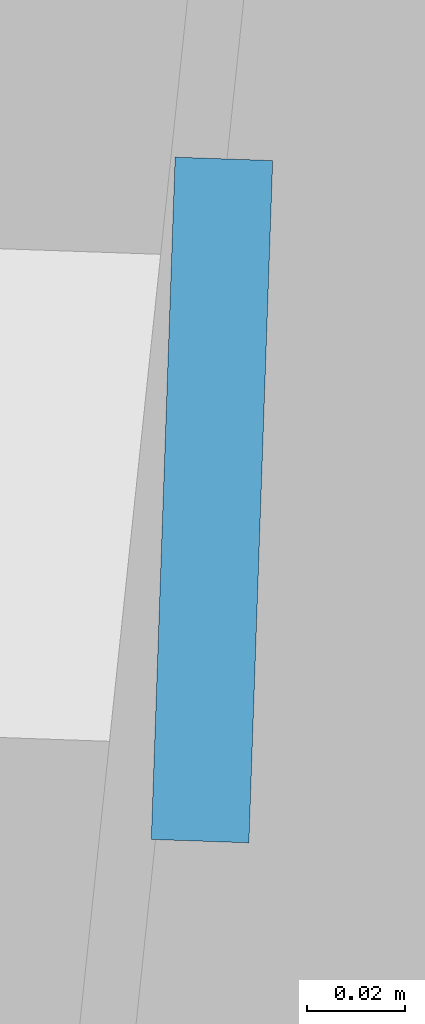
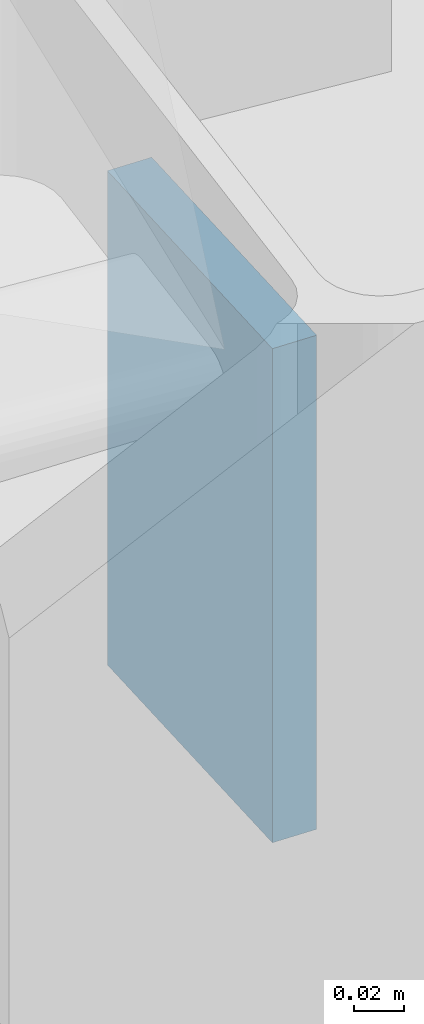
# One storey, part 26 of 42: 1 plate.
"""IFC4 building model written with IfcOpenShell, lengths in metres."""

import ifcopenshell
import ifcopenshell.guid

model = None  # the IFC model being written
_history = None  # IfcOwnerHistory: only IFC2X3 demands one
_inside = {}  # id of a spatial element -> (the spatial element, [elements in it])
_under = {}  # id of a project, library or spatial element -> (it, [spatial elements below it])
_declared = {}  # id of a project -> (the project, [libraries it declares])
_typed = {}  # id of a type object -> (the type object, [elements of that type])
_made_of = {}  # id of a material, layer set ... -> (it, [elements and type objects made of it])


def new_model(schema):
    """Start an empty IFC model of exactly this schema.

    Asked for "IFC4X3", IfcOpenShell would pick the latest addendum, in which some entities
    have other attributes; the version numbers below select the first issue.
    IFC2X3 requires an IfcOwnerHistory on every rooted entity: one is made here for all.
    """
    global model, _history
    if schema == "IFC4X3":
        model = ifcopenshell.file(schema_version=(4, 3, 0, 0))
    else:
        model = ifcopenshell.file(schema=schema)
    _inside.clear()
    _under.clear()
    _declared.clear()
    _typed.clear()
    _made_of.clear()
    _history = None
    if model.schema == "IFC2X3":
        org = make("IfcOrganization", Name="unknown")
        user = make(
            "IfcPersonAndOrganization",
            ThePerson=make("IfcPerson", FamilyName="unknown"),
            TheOrganization=org,
        )
        app = make(
            "IfcApplication",
            ApplicationDeveloper=org,
            Version="unknown",
            ApplicationFullName="unknown",
            ApplicationIdentifier="unknown",
        )
        _history = make(
            "IfcOwnerHistory",
            OwningUser=user,
            OwningApplication=app,
            ChangeAction="ADDED",
            CreationDate=0,
        )
    return model


def make(cls, **values):
    """One entity of the class cls with the attributes given. An attribute that is None is left unset."""
    return model.create_entity(
        cls, **{name: value for name, value in values.items() if value is not None}
    )


def rooted(cls, **values):
    """An entity with a GlobalId (a new one), such as an element, a storey or a relation."""
    return make(cls, GlobalId=ifcopenshell.guid.new(), OwnerHistory=_history, **values)


def si_unit(unit_type, name, prefix=None):
    """IfcSIUnit, for example si_unit("LENGTHUNIT", "METRE", prefix="MILLI")."""
    return make("IfcSIUnit", UnitType=unit_type, Prefix=prefix, Name=name)


def assignment(units):
    """IfcUnitAssignment: the units of a project."""
    return None if units is None else make("IfcUnitAssignment", Units=units)


def point(xyz):
    """IfcCartesianPoint."""
    return None if xyz is None else make("IfcCartesianPoint", Coordinates=xyz)


def direction(xyz):
    """IfcDirection."""
    return None if xyz is None else make("IfcDirection", DirectionRatios=xyz)


def frame(location, z_axis=None, x_axis=None):
    """IfcAxis2Placement3D, a coordinate frame: its origin and axes. An axis left out is left unset."""
    return make(
        "IfcAxis2Placement3D",
        Location=point(location),
        Axis=direction(z_axis),
        RefDirection=direction(x_axis),
    )


def frame_2d(location, x_axis=None):
    """IfcAxis2Placement2D, a coordinate frame in the plane: its origin and x axis."""
    return make(
        "IfcAxis2Placement2D", Location=point(location), RefDirection=direction(x_axis)
    )


def origin():
    """The frame at (0, 0, 0) with its axes left unset."""
    return frame((0.0, 0.0, 0.0))


def origin_2d():
    """The frame at (0, 0) in the plane with its x axis left unset."""
    return frame_2d((0.0, 0.0))


def place(relative_to, where):
    """IfcLocalPlacement: puts the frame where relative to a parent placement (None: the world)."""
    return make(
        "IfcLocalPlacement", PlacementRelTo=relative_to, RelativePlacement=where
    )


def context(
    kind, dimensions, precision=None, world=None, true_north=None, identifier=None
):
    """IfcGeometricRepresentationContext, for example the 3D "Model" context."""
    return make(
        "IfcGeometricRepresentationContext",
        ContextIdentifier=identifier,
        ContextType=kind,
        CoordinateSpaceDimension=dimensions,
        Precision=precision,
        WorldCoordinateSystem=world,
        TrueNorth=true_north,
    )


def subcontext(parent, identifier, kind, view, scale=None):
    """IfcGeometricRepresentationSubContext, for example "Body" below "Model"."""
    return make(
        "IfcGeometricRepresentationSubContext",
        ContextIdentifier=identifier,
        ContextType=kind,
        ParentContext=parent,
        TargetScale=scale,
        TargetView=view,
    )


def project(units=None, contexts=None):
    """IfcProject with its units and contexts."""
    return rooted(
        "IfcProject",
        Name="project",
        RepresentationContexts=contexts,
        UnitsInContext=assignment(units),
    )


def spatial(cls, under=None, at=None, **own):
    """A site, building, storey or space (cls), placed at a placement, below another one or the project."""
    s = rooted(cls, ObjectPlacement=at, **own)
    if under is not None:
        _under.setdefault(under.id(), (under, []))[1].append(s)
    return s


def profile(cls, at=None, kind="AREA", **sizes):
    """A parametric profile (cls). Its sizes go by their IFC names, for example OverallWidth=200.0."""
    return make(cls, ProfileType=kind, Position=at, **sizes)


def rectangle(**sizes):
    """IfcRectangleProfileDef."""
    return profile("IfcRectangleProfileDef", **sizes)


def extrude(swept, where, along, depth):
    """IfcExtrudedAreaSolid: the profile swept, set in the frame where, extruded along a direction by depth."""
    return make(
        "IfcExtrudedAreaSolid",
        SweptArea=swept,
        Position=where,
        ExtrudedDirection=direction(along),
        Depth=depth,
    )


def shape(context_of_items, identifier, shape_type, items):
    """IfcShapeRepresentation: the items that make up one representation, for example the "Body"."""
    return make(
        "IfcShapeRepresentation",
        ContextOfItems=context_of_items,
        RepresentationIdentifier=identifier,
        RepresentationType=shape_type,
        Items=items,
    )


def material(Name=None, Category=None):
    """IfcMaterial."""
    return make("IfcMaterial", Name=Name, Category=Category)


def layer(
    of_material, thickness, ventilated=None, Name=None, Category=None, Priority=None
):
    """IfcMaterialLayer: one layer of a wall or slab, of a material (None: an air gap)."""
    return make(
        "IfcMaterialLayer",
        Material=of_material,
        LayerThickness=thickness,
        IsVentilated=ventilated,
        Name=Name,
        Category=Category,
        Priority=Priority,
    )


def layer_set(layers, Name=None):
    """IfcMaterialLayerSet."""
    return make("IfcMaterialLayerSet", MaterialLayers=layers, LayerSetName=Name)


def made_of(thing, what):
    """Note that an element or type object is made of a material, layer set ...; save() writes the relation."""
    if what is not None:
        _made_of.setdefault(what.id(), (what, []))[1].append(thing)
    return thing


def type_object(cls, material=None, **own):
    """A type object (cls), such as IfcWallType, which elements share."""
    return made_of(rooted(cls, **own), material)


def element(
    cls,
    number,
    at=None,
    inside=None,
    cuts=None,
    type_object=None,
    material=None,
    context=None,
    identifier="Body",
    shape_type=None,
    held_by="IfcProductDefinitionShape",
    body=None,
    shapes=None,
    **own,
):
    """One element of the class cls, such as IfcWall. Its Tag is "e" and its number.

    at: its placement. inside: the storey or other place that contains it. cuts: it is an
    opening in that element (IfcRelVoidsElement). A single representation is given by context,
    identifier, shape_type and body (its items); several are given by shapes. held_by: the class
    of the entity that holds the representations. save() writes the other relations.
    """
    e = rooted(cls, Tag="e%d" % number, ObjectPlacement=at, **own)
    if body is not None:
        shapes = [shape(context, identifier, shape_type, body)]
    if shapes is not None:
        e.Representation = make(held_by, Representations=shapes)
    if inside is not None:
        _inside.setdefault(inside.id(), (inside, []))[1].append(e)
    if cuts is not None:
        rooted(
            "IfcRelVoidsElement", RelatingBuildingElement=cuts, RelatedOpeningElement=e
        )
    if type_object is not None:
        _typed.setdefault(type_object.id(), (type_object, []))[1].append(e)
    return made_of(e, material)


def aggregate(whole, parts):
    """IfcRelAggregates: a whole, such as a stair, and the parts it consists of."""
    return rooted("IfcRelAggregates", RelatingObject=whole, RelatedObjects=parts)


def save(model, path):
    """Write the relations noted so far, then the file.

    IfcRelAggregates (storeys below a building ...), IfcRelContainedInSpatialStructure (elements
    in a storey), IfcRelDefinesByType, IfcRelAssociatesMaterial and IfcRelDeclares: one each for
    every whole, place, type object, material and project.
    """
    for whole, parts in _under.values():
        aggregate(whole, parts)
    for where, things in _inside.values():
        rooted(
            "IfcRelContainedInSpatialStructure",
            RelatedElements=things,
            RelatingStructure=where,
        )
    for kind, things in _typed.values():
        rooted("IfcRelDefinesByType", RelatedObjects=things, RelatingType=kind)
    for what, things in _made_of.values():
        rooted("IfcRelAssociatesMaterial", RelatedObjects=things, RelatingMaterial=what)
    for by, libraries in _declared.values():
        rooted("IfcRelDeclares", RelatingContext=by, RelatedDefinitions=libraries)
    model.write(path)


model = new_model("IFC4")

# Units and contexts
model_context = context("Model", 3, precision=1e-05, world=origin(), true_north=direction((0.0, 1.0)))
body_context = subcontext(model_context, "Body", "Model", "MODEL_VIEW")
ifc_project = project(units=[si_unit("LENGTHUNIT", "METRE"), si_unit("AREAUNIT", "SQUARE_METRE"), si_unit("VOLUMEUNIT", "CUBIC_METRE"), si_unit("PLANEANGLEUNIT", "RADIAN"), si_unit("MASSUNIT", "GRAM", prefix="KILO"), si_unit("THERMODYNAMICTEMPERATUREUNIT", "KELVIN"), si_unit("POWERUNIT", "WATT")], contexts=[model_context])

# Site, building, storey
site_placement = place(None, origin())
site = spatial("IfcSite", under=ifc_project, at=site_placement, CompositionType="ELEMENT")
building_placement = place(site_placement, origin())
building = spatial("IfcBuilding", under=site, at=building_placement, Name="Solvatero Civic Police Headquarters", CompositionType="ELEMENT")
storey_placement = place(building_placement, frame((0.0, 0.0, 21.60009765625)))
storey = spatial("IfcBuildingStorey", under=building, at=storey_placement, Name="L05", CompositionType="ELEMENT", Elevation=21.60009765625)

# Plate
ifc_material = material(Name="Steel S355", Category="steel")
ifc_layer = layer(ifc_material, 0.02001953125)
ifc_layer_set = layer_set([ifc_layer], Name="Steel S355")
plate_type = type_object("IfcPlateType", Name="PLT-CAP-20", PredefinedType="SHEET", material=ifc_layer_set)
plate_placement = place(storey_placement, frame((98.75048828125, 71.101318359375, 3.14990234375), z_axis=(0.0, 0.0, 1.0), x_axis=(-0.999390827019, 0.034899496703, 0.0)))
element("IfcPlate", 1, at=plate_placement, inside=storey, type_object=plate_type, Name="Hollow Section End Cap Plate 0183", PredefinedType="SHEET", context=body_context, shape_type="SweptSolid", body=[
    extrude(rectangle(XDim=0.02001953125, YDim=0.139892578125, at=origin_2d()), origin(), (0.0, 0.0, 1.0), 0.239990234375),
])

save(model, "model.ifc")
